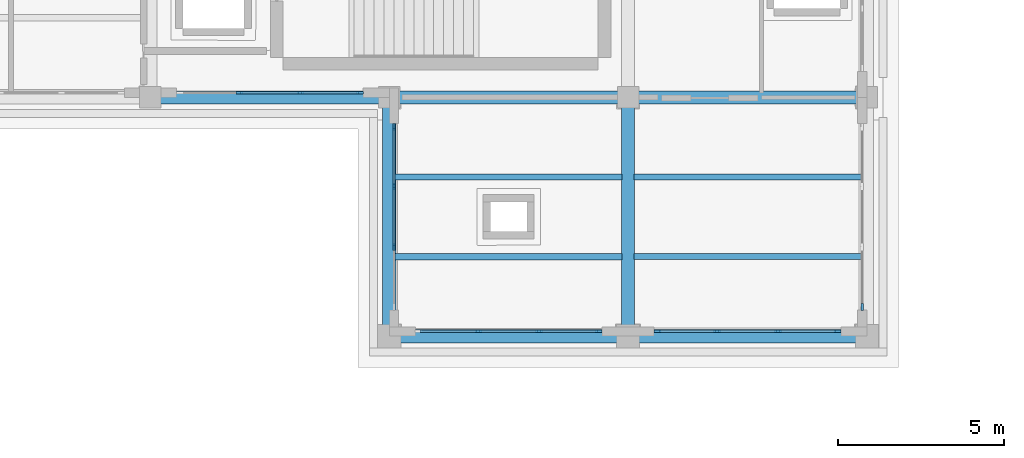
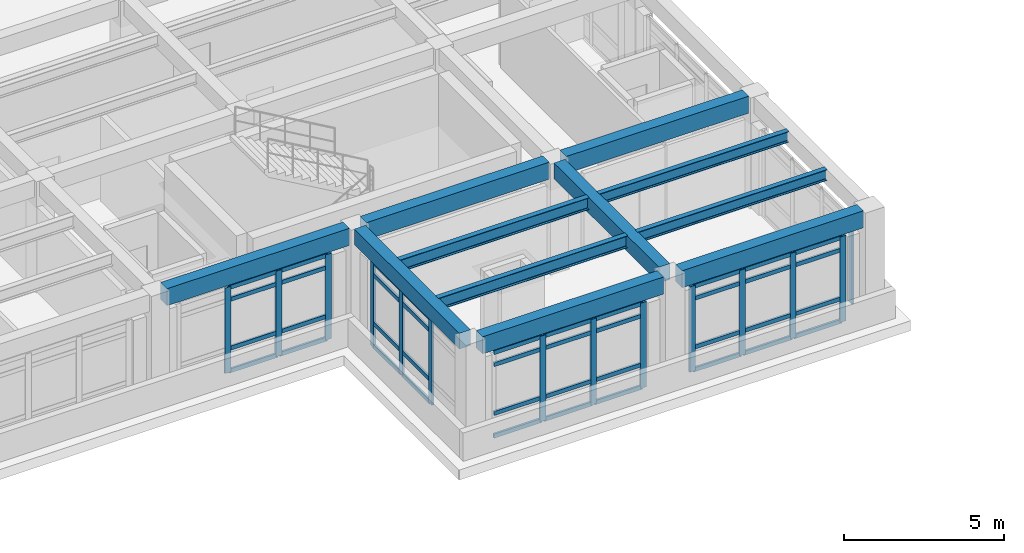
# One storey, part 27 of 55: 54 members, 11 beams, 5 elements without a shape of their own.
"""IFC4 building model written with IfcOpenShell, lengths in metres."""

from ifc_helpers import new_model, si_unit, direction, frame, origin, origin_2d, place, context, subcontext, project, spatial, rectangle, i_section, extrude, material, layer, layer_set, material_profile, profile_set, type_object, element, aggregate, save


model = new_model("IFC4")

# Units and contexts
model_context = context("Model", 3, precision=1e-05, world=origin(), true_north=direction((0.0, 1.0)))
body_context = subcontext(model_context, "Body", "Model", "MODEL_VIEW")
ifc_project = project(units=[si_unit("LENGTHUNIT", "METRE"), si_unit("AREAUNIT", "SQUARE_METRE"), si_unit("VOLUMEUNIT", "CUBIC_METRE"), si_unit("PLANEANGLEUNIT", "RADIAN"), si_unit("MASSUNIT", "GRAM", prefix="KILO")], contexts=[model_context])

# Site, building, storey
site_placement = place(None, origin())
site = spatial("IfcSite", under=ifc_project, at=site_placement, CompositionType="ELEMENT")
building_placement = place(site_placement, origin())
building = spatial("IfcBuilding", under=site, at=building_placement, Name="Solenvale Faculty of Natural Sciences", CompositionType="ELEMENT")
storey_placement = place(building_placement, frame((0.0, 0.0, 22.5)))
storey = spatial("IfcBuildingStorey", under=building, at=storey_placement, Name="L05", CompositionType="ELEMENT", Elevation=22.5)

# Beams
ifc_material_1 = material(Name="Concrete 40 MPa", Category="concrete")
ifc_material_profile_1 = material_profile(ifc_material_1, rectangle(XDim=0.39990234375, YDim=0.60009765625, at=origin_2d()), Name="RC-BM-400x600")
ifc_profile_set_1 = profile_set([ifc_material_profile_1], Name="Concrete 40 MPa")
beam_type_1 = type_object("IfcBeamType", Name="BM-RC-400x600", PredefinedType="BEAM", material=ifc_profile_set_1)
for number, where, z_axis, x_axis, name in (
    (1, (136.800048828125, 86.72998046875, 3.919921875), (0.0, 1.0, 0.0), (-1.0, 0.0, 0.0), "L05 Y-Girder X136.8 (86.4..93.6)"),
    (2, (144.0, 86.72998046875, 3.919921875), (0.0, 1.0, 0.0), (-1.0, 0.0, 0.0), "L05 Y-Girder X144.0 (86.4..93.6)"),
):
    element("IfcBeam", number, at=place(storey_placement, frame(where, z_axis=z_axis, x_axis=x_axis)), inside=storey, type_object=beam_type_1, Name=name, PredefinedType="BEAM", context=body_context, shape_type="SweptSolid", body=[
        extrude(rectangle(XDim=0.39990234375, YDim=0.60009765625, at=origin_2d()), origin(), (0.0, 0.0, 1.0), 6.56494140625),
    ])
ifc_material_profile_2 = material_profile(ifc_material_1, rectangle(XDim=0.39990234375, YDim=0.64990234375, at=origin_2d()), Name="RC-BM-400x650")
ifc_profile_set_2 = profile_set([ifc_material_profile_2], Name="Concrete 40 MPa")
beam_type_2 = type_object("IfcBeamType", Name="BM-RC-400x650", PredefinedType="BEAM", material=ifc_profile_set_2)
for number, where, z_axis, x_axis, name in (
    (3, (137.1298828125, 86.39990234375, 3.89501953125), (1.0, 0.0, 0.0), (0.0, 1.0, 0.0), "L05 X-Girder Y86.4 (136.8..144.0)"),
    (4, (144.330078125, 86.39990234375, 3.89501953125), (1.0, 0.0, 0.0), (0.0, 1.0, 0.0), "L05 X-Girder Y86.4 (144.0..151.2)"),
):
    element("IfcBeam", number, at=place(storey_placement, frame(where, z_axis=z_axis, x_axis=x_axis)), inside=storey, type_object=beam_type_2, Name=name, PredefinedType="BEAM", context=body_context, shape_type="SweptSolid", body=[
        extrude(rectangle(XDim=0.39990234375, YDim=0.64990234375, at=origin_2d()), origin(), (0.0, 0.0, 1.0), 6.5400390625),
    ])
for number, where, z_axis, x_axis, name in (
    (5, (129.905029296875, 93.60009765625, 3.89501953125), (1.0, 0.0, 0.0), (0.0, 1.0, 0.0), "L05 X-Girder Y93.6 (129.6..136.8)"),
    (6, (137.10498046875, 93.60009765625, 3.89501953125), (1.0, 0.0, 0.0), (0.0, 1.0, 0.0), "L05 X-Girder Y93.6 (136.8..144.0)"),
    (7, (144.304931640625, 93.60009765625, 3.89501953125), (1.0, 0.0, 0.0), (0.0, 1.0, 0.0), "L05 X-Girder Y93.6 (144.0..151.2)"),
):
    element("IfcBeam", number, at=place(storey_placement, frame(where, z_axis=z_axis, x_axis=x_axis)), inside=storey, type_object=beam_type_2, Name=name, PredefinedType="BEAM", context=body_context, shape_type="SweptSolid", body=[
        extrude(rectangle(XDim=0.39990234375, YDim=0.64990234375, at=origin_2d()), origin(), (0.0, 0.0, 1.0), 6.590087890625),
    ])
ifc_material_2 = material(Name="Steel S355", Category="steel")
ifc_material_profile_3 = material_profile(ifc_material_2, i_section(OverallWidth=0.180908203125, OverallDepth=0.4169921875, WebThickness=0.010986328125, FlangeThickness=0.018310546875, FilletRadius=0.01611328125, at=origin_2d()), Name="W410x85")
ifc_profile_set_3 = profile_set([ifc_material_profile_3], Name="Steel S355")
beam_type_3 = type_object("IfcBeamType", Name="BM-STL-W410x85", PredefinedType="JOIST", material=ifc_profile_set_3)
for number, where, z_axis, x_axis, name in (
    (8, (144.179931640625, 88.800048828125, 4.011474609375), (1.0, 0.0, 0.0), (0.0, 1.0, 0.0), "L05 Composite Floor Joist (21,13).1"),
    (9, (144.179931640625, 91.199951171875, 4.011474609375), (1.0, 0.0, 0.0), (0.0, 1.0, 0.0), "L05 Composite Floor Joist (21,13).2"),
):
    element("IfcBeam", number, at=place(storey_placement, frame(where, z_axis=z_axis, x_axis=x_axis)), inside=storey, type_object=beam_type_3, Name=name, PredefinedType="JOIST", context=body_context, shape_type="SweptSolid", body=[
        extrude(i_section(OverallWidth=0.180908203125, OverallDepth=0.4169921875, WebThickness=0.010986328125, FlangeThickness=0.018310546875, FilletRadius=0.01611328125, at=origin_2d()), origin(), (0.0, 0.0, 1.0), 6.840087890625),
    ])
ifc_material_profile_4 = material_profile(ifc_material_2, i_section(OverallWidth=0.19091796875, OverallDepth=0.4599609375, WebThickness=0.010009765625, FlangeThickness=0.01611328125, FilletRadius=0.01806640625, at=origin_2d()), Name="W460x82")
ifc_profile_set_4 = profile_set([ifc_material_profile_4], Name="Steel S355")
beam_type_4 = type_object("IfcBeamType", Name="BM-STL-W460x82", PredefinedType="JOIST", material=ifc_profile_set_4)
for number, where, z_axis, x_axis, name in (
    (10, (136.97998046875, 88.800048828125, 3.989990234375), (1.0, 0.0, 0.0), (0.0, 1.0, 0.0), "L05 Composite Floor Joist (20,13).1"),
    (11, (136.97998046875, 91.199951171875, 3.989990234375), (1.0, 0.0, 0.0), (0.0, 1.0, 0.0), "L05 Composite Floor Joist (20,13).2"),
):
    element("IfcBeam", number, at=place(storey_placement, frame(where, z_axis=z_axis, x_axis=x_axis)), inside=storey, type_object=beam_type_4, Name=name, PredefinedType="JOIST", context=body_context, shape_type="SweptSolid", body=[
        extrude(i_section(OverallWidth=0.19091796875, OverallDepth=0.4599609375, WebThickness=0.010009765625, FlangeThickness=0.01611328125, FilletRadius=0.01806640625, at=origin_2d()), origin(), (0.0, 0.0, 1.0), 6.840087890625),
    ])

# Curtain wall, member
ifc_material_3 = material(Name="Anodised bronze aluminium", Category="aluminium")
ifc_layer = layer(ifc_material_3, 0.179931640625)
ifc_layer_set = layer_set([ifc_layer], Name="Anodised bronze aluminium")
curtain_wall_type = type_object("IfcCurtainWallType", Name="CW-TWR-MOD", PredefinedType="USERDEFINED", material=ifc_layer_set)
curtain_wall_1_placement = place(storey_placement, origin())
curtain_wall_1 = element("IfcCurtainWall", 12, at=curtain_wall_1_placement, inside=storey, type_object=curtain_wall_type, Name="L05 Curtain Wall CW-L05-P2-E1-B1", ObjectType="UNITISED CURTAIN WALL", PredefinedType="USERDEFINED")
ifc_material_profile_5 = material_profile(ifc_material_3, rectangle(XDim=0.074951171875, YDim=0.2099609375, at=origin_2d()), Name="ALU-MUL-75x210")
ifc_profile_set_5 = profile_set([ifc_material_profile_5], Name="Anodised bronze aluminium")
member_type_1 = type_object("IfcMemberType", Name="CWM-ALU-75x210", PredefinedType="MULLION", material=ifc_profile_set_5)
member_1_placement = place(storey_placement, frame((151.0576171875, 87.28759765625, 0.0), z_axis=(0.0, 0.0, 1.0), x_axis=(-1.0, 0.0, 0.0)))
member_1 = element("IfcMember", 13, at=member_1_placement, type_object=member_type_1, Name="CW-04 mullion 1", PredefinedType="MULLION", context=body_context, shape_type="SweptSolid", body=[
    extrude(rectangle(XDim=0.074951171875, YDim=0.2099609375, at=origin_2d()), origin(), (0.0, 0.0, 1.0), 3.260009765625),
])
aggregate(curtain_wall_1, [member_1])

# Curtain wall, members
curtain_wall_2_placement = place(storey_placement, origin())
curtain_wall_2 = element("IfcCurtainWall", 14, at=curtain_wall_2_placement, inside=storey, type_object=curtain_wall_type, Name="L05 Curtain Wall CW-L05-P2-E5-B8", ObjectType="UNITISED CURTAIN WALL", PredefinedType="USERDEFINED")
member_2_placement = place(storey_placement, frame((132.283447265625, 93.742431640625, 0.0), z_axis=(0.0, 0.0, 1.0), x_axis=(0.0, 1.0, 0.0)))
member_2 = element("IfcMember", 15, at=member_2_placement, type_object=member_type_1, Name="CW-04 mullion 2", PredefinedType="MULLION", context=body_context, shape_type="SweptSolid", body=[
    extrude(rectangle(XDim=0.074951171875, YDim=0.2099609375, at=origin_2d()), origin(), (0.0, 0.0, 1.0), 3.260009765625),
])
member_3_placement = place(storey_placement, frame((134.11669921875, 93.742431640625, 0.0), z_axis=(0.0, 0.0, 1.0), x_axis=(0.0, 1.0, 0.0)))
member_3 = element("IfcMember", 16, at=member_3_placement, type_object=member_type_1, Name="CW-04 mullion 3", PredefinedType="MULLION", context=body_context, shape_type="SweptSolid", body=[
    extrude(rectangle(XDim=0.074951171875, YDim=0.2099609375, at=origin_2d()), origin(), (0.0, 0.0, 1.0), 3.260009765625),
])
member_4_placement = place(storey_placement, frame((135.91259765625, 93.742431640625, 0.0), z_axis=(0.0, 0.0, 1.0), x_axis=(0.0, 1.0, 0.0)))
member_4 = element("IfcMember", 17, at=member_4_placement, type_object=member_type_1, Name="CW-04 mullion 4", PredefinedType="MULLION", context=body_context, shape_type="SweptSolid", body=[
    extrude(rectangle(XDim=0.074951171875, YDim=0.2099609375, at=origin_2d()), origin(), (0.0, 0.0, 1.0), 3.260009765625),
])

curtain_wall_3_placement = place(storey_placement, origin())
curtain_wall_3 = element("IfcCurtainWall", 18, at=curtain_wall_3_placement, inside=storey, type_object=curtain_wall_type, Name="L05 Curtain Wall CW-L05-P2-E6-B1", ObjectType="UNITISED CURTAIN WALL", PredefinedType="USERDEFINED")
member_5_placement = place(storey_placement, frame((136.9423828125, 92.71240234375, 0.0), z_axis=(0.0, 0.0, 1.0), x_axis=(1.0, 0.0, 0.0)))
member_5 = element("IfcMember", 19, at=member_5_placement, type_object=member_type_1, Name="CW-04 mullion 1", PredefinedType="MULLION", context=body_context, shape_type="SweptSolid", body=[
    extrude(rectangle(XDim=0.074951171875, YDim=0.2099609375, at=origin_2d()), origin(), (0.0, 0.0, 1.0), 3.260009765625),
])
member_6_placement = place(storey_placement, frame((136.9423828125, 90.916748046875, 0.0), z_axis=(0.0, 0.0, 1.0), x_axis=(1.0, 0.0, 0.0)))
member_6 = element("IfcMember", 20, at=member_6_placement, type_object=member_type_1, Name="CW-04 mullion 2", PredefinedType="MULLION", context=body_context, shape_type="SweptSolid", body=[
    extrude(rectangle(XDim=0.074951171875, YDim=0.2099609375, at=origin_2d()), origin(), (0.0, 0.0, 1.0), 3.260009765625),
])
member_7_placement = place(storey_placement, frame((136.9423828125, 89.083251953125, 0.0), z_axis=(0.0, 0.0, 1.0), x_axis=(1.0, 0.0, 0.0)))
member_7 = element("IfcMember", 21, at=member_7_placement, type_object=member_type_1, Name="CW-04 mullion 3", PredefinedType="MULLION", context=body_context, shape_type="SweptSolid", body=[
    extrude(rectangle(XDim=0.074951171875, YDim=0.2099609375, at=origin_2d()), origin(), (0.0, 0.0, 1.0), 3.260009765625),
])

curtain_wall_4_placement = place(storey_placement, origin())
curtain_wall_4 = element("IfcCurtainWall", 22, at=curtain_wall_4_placement, inside=storey, type_object=curtain_wall_type, Name="L05 Curtain Wall CW-L05-P2-E7-B1", ObjectType="UNITISED CURTAIN WALL", PredefinedType="USERDEFINED")
member_8_placement = place(storey_placement, frame((139.4833984375, 86.54248046875, 0.0), z_axis=(0.0, 0.0, 1.0), x_axis=(0.0, 1.0, 0.0)))
member_8 = element("IfcMember", 23, at=member_8_placement, type_object=member_type_1, Name="CW-04 mullion 2", PredefinedType="MULLION", context=body_context, shape_type="SweptSolid", body=[
    extrude(rectangle(XDim=0.074951171875, YDim=0.2099609375, at=origin_2d()), origin(), (0.0, 0.0, 1.0), 3.260009765625),
])
member_9_placement = place(storey_placement, frame((141.316650390625, 86.54248046875, 0.0), z_axis=(0.0, 0.0, 1.0), x_axis=(0.0, 1.0, 0.0)))
member_9 = element("IfcMember", 24, at=member_9_placement, type_object=member_type_1, Name="CW-04 mullion 3", PredefinedType="MULLION", context=body_context, shape_type="SweptSolid", body=[
    extrude(rectangle(XDim=0.074951171875, YDim=0.2099609375, at=origin_2d()), origin(), (0.0, 0.0, 1.0), 3.260009765625),
])
member_10_placement = place(storey_placement, frame((143.112548828125, 86.54248046875, 0.0), z_axis=(0.0, 0.0, 1.0), x_axis=(0.0, 1.0, 0.0)))
member_10 = element("IfcMember", 25, at=member_10_placement, type_object=member_type_1, Name="CW-04 mullion 4", PredefinedType="MULLION", context=body_context, shape_type="SweptSolid", body=[
    extrude(rectangle(XDim=0.074951171875, YDim=0.2099609375, at=origin_2d()), origin(), (0.0, 0.0, 1.0), 3.260009765625),
])

curtain_wall_5_placement = place(storey_placement, origin())
curtain_wall_5 = element("IfcCurtainWall", 26, at=curtain_wall_5_placement, inside=storey, type_object=curtain_wall_type, Name="L05 Curtain Wall CW-L05-P2-E7-B2", ObjectType="UNITISED CURTAIN WALL", PredefinedType="USERDEFINED")
member_11_placement = place(storey_placement, frame((144.887451171875, 86.54248046875, 0.0), z_axis=(0.0, 0.0, 1.0), x_axis=(0.0, 1.0, 0.0)))
member_11 = element("IfcMember", 27, at=member_11_placement, type_object=member_type_1, Name="CW-04 mullion 1", PredefinedType="MULLION", context=body_context, shape_type="SweptSolid", body=[
    extrude(rectangle(XDim=0.074951171875, YDim=0.2099609375, at=origin_2d()), origin(), (0.0, 0.0, 1.0), 3.260009765625),
])
member_12_placement = place(storey_placement, frame((146.683349609375, 86.54248046875, 0.0), z_axis=(0.0, 0.0, 1.0), x_axis=(0.0, 1.0, 0.0)))
member_12 = element("IfcMember", 28, at=member_12_placement, type_object=member_type_1, Name="CW-04 mullion 2", PredefinedType="MULLION", context=body_context, shape_type="SweptSolid", body=[
    extrude(rectangle(XDim=0.074951171875, YDim=0.2099609375, at=origin_2d()), origin(), (0.0, 0.0, 1.0), 3.260009765625),
])
member_13_placement = place(storey_placement, frame((148.5166015625, 86.54248046875, 0.0), z_axis=(0.0, 0.0, 1.0), x_axis=(0.0, 1.0, 0.0)))
member_13 = element("IfcMember", 29, at=member_13_placement, type_object=member_type_1, Name="CW-04 mullion 3", PredefinedType="MULLION", context=body_context, shape_type="SweptSolid", body=[
    extrude(rectangle(XDim=0.074951171875, YDim=0.2099609375, at=origin_2d()), origin(), (0.0, 0.0, 1.0), 3.260009765625),
])
member_14_placement = place(storey_placement, frame((150.3125, 86.54248046875, 0.0), z_axis=(0.0, 0.0, 1.0), x_axis=(0.0, 1.0, 0.0)))
member_14 = element("IfcMember", 30, at=member_14_placement, type_object=member_type_1, Name="CW-04 mullion 4", PredefinedType="MULLION", context=body_context, shape_type="SweptSolid", body=[
    extrude(rectangle(XDim=0.074951171875, YDim=0.2099609375, at=origin_2d()), origin(), (0.0, 0.0, 1.0), 3.260009765625),
])

# Member
ifc_material_profile_6 = material_profile(ifc_material_3, rectangle(XDim=0.074951171875, YDim=0.155029296875, at=origin_2d()), Name="ALU-TRN-75x155")
ifc_profile_set_6 = profile_set([ifc_material_profile_6], Name="Anodised bronze aluminium")
member_type_2 = type_object("IfcMemberType", Name="CWT-ALU-75x155", PredefinedType="USERDEFINED", material=ifc_profile_set_6)
member_15_placement = place(storey_placement, frame((132.32080078125, 93.742431640625, 0.03759765625), z_axis=(1.0, 0.0, 0.0), x_axis=(0.0, 1.0, 0.0)))
member_15 = element("IfcMember", 31, at=member_15_placement, type_object=member_type_2, Name="CW-04 transom 2.1", ObjectType="TRANSOM", PredefinedType="USERDEFINED", context=body_context, shape_type="SweptSolid", body=[
    extrude(rectangle(XDim=0.074951171875, YDim=0.155029296875, at=origin_2d()), origin(), (0.0, 0.0, 1.0), 1.75830078125),
])

member_16_placement = place(storey_placement, frame((132.32080078125, 93.742431640625, 0.89990234375), z_axis=(1.0, 0.0, 0.0), x_axis=(0.0, 1.0, 0.0)))
member_16 = element("IfcMember", 32, at=member_16_placement, type_object=member_type_2, Name="CW-04 transom 2.2", ObjectType="TRANSOM", PredefinedType="USERDEFINED", context=body_context, shape_type="SweptSolid", body=[
    extrude(rectangle(XDim=0.074951171875, YDim=0.155029296875, at=origin_2d()), origin(), (0.0, 0.0, 1.0), 1.75830078125),
])

member_17_placement = place(storey_placement, frame((132.32080078125, 93.742431640625, 2.760009765625), z_axis=(1.0, 0.0, 0.0), x_axis=(0.0, 1.0, 0.0)))
member_17 = element("IfcMember", 33, at=member_17_placement, type_object=member_type_2, Name="CW-04 transom 2.3", ObjectType="TRANSOM", PredefinedType="USERDEFINED", context=body_context, shape_type="SweptSolid", body=[
    extrude(rectangle(XDim=0.074951171875, YDim=0.155029296875, at=origin_2d()), origin(), (0.0, 0.0, 1.0), 1.75830078125),
])

member_18_placement = place(storey_placement, frame((132.32080078125, 93.742431640625, 3.222412109375), z_axis=(1.0, 0.0, 0.0), x_axis=(0.0, 1.0, 0.0)))
member_18 = element("IfcMember", 34, at=member_18_placement, type_object=member_type_2, Name="CW-04 transom 2.4", ObjectType="TRANSOM", PredefinedType="USERDEFINED", context=body_context, shape_type="SweptSolid", body=[
    extrude(rectangle(XDim=0.074951171875, YDim=0.155029296875, at=origin_2d()), origin(), (0.0, 0.0, 1.0), 1.75830078125),
])

member_19_placement = place(storey_placement, frame((134.154052734375, 93.742431640625, 0.03759765625), z_axis=(1.0, 0.0, 0.0), x_axis=(0.0, 1.0, 0.0)))
member_19 = element("IfcMember", 35, at=member_19_placement, type_object=member_type_2, Name="CW-04 transom 3.1", ObjectType="TRANSOM", PredefinedType="USERDEFINED", context=body_context, shape_type="SweptSolid", body=[
    extrude(rectangle(XDim=0.074951171875, YDim=0.155029296875, at=origin_2d()), origin(), (0.0, 0.0, 1.0), 1.720947265625),
])

member_20_placement = place(storey_placement, frame((134.154052734375, 93.742431640625, 0.89990234375), z_axis=(1.0, 0.0, 0.0), x_axis=(0.0, 1.0, 0.0)))
member_20 = element("IfcMember", 36, at=member_20_placement, type_object=member_type_2, Name="CW-04 transom 3.2", ObjectType="TRANSOM", PredefinedType="USERDEFINED", context=body_context, shape_type="SweptSolid", body=[
    extrude(rectangle(XDim=0.074951171875, YDim=0.155029296875, at=origin_2d()), origin(), (0.0, 0.0, 1.0), 1.720947265625),
])

member_21_placement = place(storey_placement, frame((134.154052734375, 93.742431640625, 2.760009765625), z_axis=(1.0, 0.0, 0.0), x_axis=(0.0, 1.0, 0.0)))
member_21 = element("IfcMember", 37, at=member_21_placement, type_object=member_type_2, Name="CW-04 transom 3.3", ObjectType="TRANSOM", PredefinedType="USERDEFINED", context=body_context, shape_type="SweptSolid", body=[
    extrude(rectangle(XDim=0.074951171875, YDim=0.155029296875, at=origin_2d()), origin(), (0.0, 0.0, 1.0), 1.720947265625),
])

member_22_placement = place(storey_placement, frame((134.154052734375, 93.742431640625, 3.222412109375), z_axis=(1.0, 0.0, 0.0), x_axis=(0.0, 1.0, 0.0)))
member_22 = element("IfcMember", 38, at=member_22_placement, type_object=member_type_2, Name="CW-04 transom 3.4", ObjectType="TRANSOM", PredefinedType="USERDEFINED", context=body_context, shape_type="SweptSolid", body=[
    extrude(rectangle(XDim=0.074951171875, YDim=0.155029296875, at=origin_2d()), origin(), (0.0, 0.0, 1.0), 1.720947265625),
])

aggregate(curtain_wall_2, [member_2, member_3, member_4, member_15, member_16, member_17, member_18, member_19, member_20, member_21, member_22])

member_23_placement = place(storey_placement, frame((136.9423828125, 92.675048828125, 0.03759765625), z_axis=(0.0, -1.0, 0.0), x_axis=(1.0, 0.0, 0.0)))
member_23 = element("IfcMember", 39, at=member_23_placement, type_object=member_type_2, Name="CW-04 transom 1.1", ObjectType="TRANSOM", PredefinedType="USERDEFINED", context=body_context, shape_type="SweptSolid", body=[
    extrude(rectangle(XDim=0.074951171875, YDim=0.155029296875, at=origin_2d()), origin(), (0.0, 0.0, 1.0), 1.720947265625),
])

member_24_placement = place(storey_placement, frame((136.9423828125, 92.675048828125, 0.89990234375), z_axis=(0.0, -1.0, 0.0), x_axis=(1.0, 0.0, 0.0)))
member_24 = element("IfcMember", 40, at=member_24_placement, type_object=member_type_2, Name="CW-04 transom 1.2", ObjectType="TRANSOM", PredefinedType="USERDEFINED", context=body_context, shape_type="SweptSolid", body=[
    extrude(rectangle(XDim=0.074951171875, YDim=0.155029296875, at=origin_2d()), origin(), (0.0, 0.0, 1.0), 1.720947265625),
])

member_25_placement = place(storey_placement, frame((136.9423828125, 92.675048828125, 2.760009765625), z_axis=(0.0, -1.0, 0.0), x_axis=(1.0, 0.0, 0.0)))
member_25 = element("IfcMember", 41, at=member_25_placement, type_object=member_type_2, Name="CW-04 transom 1.3", ObjectType="TRANSOM", PredefinedType="USERDEFINED", context=body_context, shape_type="SweptSolid", body=[
    extrude(rectangle(XDim=0.074951171875, YDim=0.155029296875, at=origin_2d()), origin(), (0.0, 0.0, 1.0), 1.720947265625),
])

member_26_placement = place(storey_placement, frame((136.9423828125, 92.675048828125, 3.222412109375), z_axis=(0.0, -1.0, 0.0), x_axis=(1.0, 0.0, 0.0)))
member_26 = element("IfcMember", 42, at=member_26_placement, type_object=member_type_2, Name="CW-04 transom 1.4", ObjectType="TRANSOM", PredefinedType="USERDEFINED", context=body_context, shape_type="SweptSolid", body=[
    extrude(rectangle(XDim=0.074951171875, YDim=0.155029296875, at=origin_2d()), origin(), (0.0, 0.0, 1.0), 1.720947265625),
])

member_27_placement = place(storey_placement, frame((136.9423828125, 90.879150390625, 0.03759765625), z_axis=(0.0, -1.0, 0.0), x_axis=(1.0, 0.0, 0.0)))
member_27 = element("IfcMember", 43, at=member_27_placement, type_object=member_type_2, Name="CW-04 transom 2.1", ObjectType="TRANSOM", PredefinedType="USERDEFINED", context=body_context, shape_type="SweptSolid", body=[
    extrude(rectangle(XDim=0.074951171875, YDim=0.155029296875, at=origin_2d()), origin(), (0.0, 0.0, 1.0), 1.75830078125),
])

member_28_placement = place(storey_placement, frame((136.9423828125, 90.879150390625, 0.89990234375), z_axis=(0.0, -1.0, 0.0), x_axis=(1.0, 0.0, 0.0)))
member_28 = element("IfcMember", 44, at=member_28_placement, type_object=member_type_2, Name="CW-04 transom 2.2", ObjectType="TRANSOM", PredefinedType="USERDEFINED", context=body_context, shape_type="SweptSolid", body=[
    extrude(rectangle(XDim=0.074951171875, YDim=0.155029296875, at=origin_2d()), origin(), (0.0, 0.0, 1.0), 1.75830078125),
])

member_29_placement = place(storey_placement, frame((136.9423828125, 90.879150390625, 2.760009765625), z_axis=(0.0, -1.0, 0.0), x_axis=(1.0, 0.0, 0.0)))
member_29 = element("IfcMember", 45, at=member_29_placement, type_object=member_type_2, Name="CW-04 transom 2.3", ObjectType="TRANSOM", PredefinedType="USERDEFINED", context=body_context, shape_type="SweptSolid", body=[
    extrude(rectangle(XDim=0.074951171875, YDim=0.155029296875, at=origin_2d()), origin(), (0.0, 0.0, 1.0), 1.75830078125),
])

member_30_placement = place(storey_placement, frame((136.9423828125, 90.879150390625, 3.222412109375), z_axis=(0.0, -1.0, 0.0), x_axis=(1.0, 0.0, 0.0)))
member_30 = element("IfcMember", 46, at=member_30_placement, type_object=member_type_2, Name="CW-04 transom 2.4", ObjectType="TRANSOM", PredefinedType="USERDEFINED", context=body_context, shape_type="SweptSolid", body=[
    extrude(rectangle(XDim=0.074951171875, YDim=0.155029296875, at=origin_2d()), origin(), (0.0, 0.0, 1.0), 1.75830078125),
])

aggregate(curtain_wall_3, [member_5, member_6, member_7, member_23, member_24, member_25, member_26, member_27, member_28, member_29, member_30])

member_31_placement = place(storey_placement, frame((137.72509765625, 86.54248046875, 0.03759765625), z_axis=(1.0, 0.0, 0.0), x_axis=(0.0, 1.0, 0.0)))
member_31 = element("IfcMember", 47, at=member_31_placement, type_object=member_type_2, Name="CW-04 transom 1.1", ObjectType="TRANSOM", PredefinedType="USERDEFINED", context=body_context, shape_type="SweptSolid", body=[
    extrude(rectangle(XDim=0.074951171875, YDim=0.155029296875, at=origin_2d()), origin(), (0.0, 0.0, 1.0), 1.720703125),
])

member_32_placement = place(storey_placement, frame((137.72509765625, 86.54248046875, 0.89990234375), z_axis=(1.0, 0.0, 0.0), x_axis=(0.0, 1.0, 0.0)))
member_32 = element("IfcMember", 48, at=member_32_placement, type_object=member_type_2, Name="CW-04 transom 1.2", ObjectType="TRANSOM", PredefinedType="USERDEFINED", context=body_context, shape_type="SweptSolid", body=[
    extrude(rectangle(XDim=0.074951171875, YDim=0.155029296875, at=origin_2d()), origin(), (0.0, 0.0, 1.0), 1.720703125),
])

member_33_placement = place(storey_placement, frame((137.72509765625, 86.54248046875, 2.760009765625), z_axis=(1.0, 0.0, 0.0), x_axis=(0.0, 1.0, 0.0)))
member_33 = element("IfcMember", 49, at=member_33_placement, type_object=member_type_2, Name="CW-04 transom 1.3", ObjectType="TRANSOM", PredefinedType="USERDEFINED", context=body_context, shape_type="SweptSolid", body=[
    extrude(rectangle(XDim=0.074951171875, YDim=0.155029296875, at=origin_2d()), origin(), (0.0, 0.0, 1.0), 1.720703125),
])

member_34_placement = place(storey_placement, frame((137.72509765625, 86.54248046875, 3.222412109375), z_axis=(1.0, 0.0, 0.0), x_axis=(0.0, 1.0, 0.0)))
member_34 = element("IfcMember", 50, at=member_34_placement, type_object=member_type_2, Name="CW-04 transom 1.4", ObjectType="TRANSOM", PredefinedType="USERDEFINED", context=body_context, shape_type="SweptSolid", body=[
    extrude(rectangle(XDim=0.074951171875, YDim=0.155029296875, at=origin_2d()), origin(), (0.0, 0.0, 1.0), 1.720703125),
])

member_35_placement = place(storey_placement, frame((139.520751953125, 86.54248046875, 0.03759765625), z_axis=(1.0, 0.0, 0.0), x_axis=(0.0, 1.0, 0.0)))
member_35 = element("IfcMember", 51, at=member_35_placement, type_object=member_type_2, Name="CW-04 transom 2.1", ObjectType="TRANSOM", PredefinedType="USERDEFINED", context=body_context, shape_type="SweptSolid", body=[
    extrude(rectangle(XDim=0.074951171875, YDim=0.155029296875, at=origin_2d()), origin(), (0.0, 0.0, 1.0), 1.75830078125),
])

member_36_placement = place(storey_placement, frame((139.520751953125, 86.54248046875, 0.89990234375), z_axis=(1.0, 0.0, 0.0), x_axis=(0.0, 1.0, 0.0)))
member_36 = element("IfcMember", 52, at=member_36_placement, type_object=member_type_2, Name="CW-04 transom 2.2", ObjectType="TRANSOM", PredefinedType="USERDEFINED", context=body_context, shape_type="SweptSolid", body=[
    extrude(rectangle(XDim=0.074951171875, YDim=0.155029296875, at=origin_2d()), origin(), (0.0, 0.0, 1.0), 1.75830078125),
])

member_37_placement = place(storey_placement, frame((139.520751953125, 86.54248046875, 2.760009765625), z_axis=(1.0, 0.0, 0.0), x_axis=(0.0, 1.0, 0.0)))
member_37 = element("IfcMember", 53, at=member_37_placement, type_object=member_type_2, Name="CW-04 transom 2.3", ObjectType="TRANSOM", PredefinedType="USERDEFINED", context=body_context, shape_type="SweptSolid", body=[
    extrude(rectangle(XDim=0.074951171875, YDim=0.155029296875, at=origin_2d()), origin(), (0.0, 0.0, 1.0), 1.75830078125),
])

member_38_placement = place(storey_placement, frame((139.520751953125, 86.54248046875, 3.222412109375), z_axis=(1.0, 0.0, 0.0), x_axis=(0.0, 1.0, 0.0)))
member_38 = element("IfcMember", 54, at=member_38_placement, type_object=member_type_2, Name="CW-04 transom 2.4", ObjectType="TRANSOM", PredefinedType="USERDEFINED", context=body_context, shape_type="SweptSolid", body=[
    extrude(rectangle(XDim=0.074951171875, YDim=0.155029296875, at=origin_2d()), origin(), (0.0, 0.0, 1.0), 1.75830078125),
])

member_39_placement = place(storey_placement, frame((141.354248046875, 86.54248046875, 0.03759765625), z_axis=(1.0, 0.0, 0.0), x_axis=(0.0, 1.0, 0.0)))
member_39 = element("IfcMember", 55, at=member_39_placement, type_object=member_type_2, Name="CW-04 transom 3.1", ObjectType="TRANSOM", PredefinedType="USERDEFINED", context=body_context, shape_type="SweptSolid", body=[
    extrude(rectangle(XDim=0.074951171875, YDim=0.155029296875, at=origin_2d()), origin(), (0.0, 0.0, 1.0), 1.720703125),
])

member_40_placement = place(storey_placement, frame((141.354248046875, 86.54248046875, 0.89990234375), z_axis=(1.0, 0.0, 0.0), x_axis=(0.0, 1.0, 0.0)))
member_40 = element("IfcMember", 56, at=member_40_placement, type_object=member_type_2, Name="CW-04 transom 3.2", ObjectType="TRANSOM", PredefinedType="USERDEFINED", context=body_context, shape_type="SweptSolid", body=[
    extrude(rectangle(XDim=0.074951171875, YDim=0.155029296875, at=origin_2d()), origin(), (0.0, 0.0, 1.0), 1.720703125),
])

member_41_placement = place(storey_placement, frame((141.354248046875, 86.54248046875, 2.760009765625), z_axis=(1.0, 0.0, 0.0), x_axis=(0.0, 1.0, 0.0)))
member_41 = element("IfcMember", 57, at=member_41_placement, type_object=member_type_2, Name="CW-04 transom 3.3", ObjectType="TRANSOM", PredefinedType="USERDEFINED", context=body_context, shape_type="SweptSolid", body=[
    extrude(rectangle(XDim=0.074951171875, YDim=0.155029296875, at=origin_2d()), origin(), (0.0, 0.0, 1.0), 1.720703125),
])

member_42_placement = place(storey_placement, frame((141.354248046875, 86.54248046875, 3.222412109375), z_axis=(1.0, 0.0, 0.0), x_axis=(0.0, 1.0, 0.0)))
member_42 = element("IfcMember", 58, at=member_42_placement, type_object=member_type_2, Name="CW-04 transom 3.4", ObjectType="TRANSOM", PredefinedType="USERDEFINED", context=body_context, shape_type="SweptSolid", body=[
    extrude(rectangle(XDim=0.074951171875, YDim=0.155029296875, at=origin_2d()), origin(), (0.0, 0.0, 1.0), 1.720703125),
])

aggregate(curtain_wall_4, [member_8, member_9, member_10, member_31, member_32, member_33, member_34, member_35, member_36, member_37, member_38, member_39, member_40, member_41, member_42])

member_43_placement = place(storey_placement, frame((144.925048828125, 86.54248046875, 0.03759765625), z_axis=(1.0, 0.0, 0.0), x_axis=(0.0, 1.0, 0.0)))
member_43 = element("IfcMember", 59, at=member_43_placement, type_object=member_type_2, Name="CW-04 transom 1.1", ObjectType="TRANSOM", PredefinedType="USERDEFINED", context=body_context, shape_type="SweptSolid", body=[
    extrude(rectangle(XDim=0.074951171875, YDim=0.155029296875, at=origin_2d()), origin(), (0.0, 0.0, 1.0), 1.720703125),
])

member_44_placement = place(storey_placement, frame((144.925048828125, 86.54248046875, 0.89990234375), z_axis=(1.0, 0.0, 0.0), x_axis=(0.0, 1.0, 0.0)))
member_44 = element("IfcMember", 60, at=member_44_placement, type_object=member_type_2, Name="CW-04 transom 1.2", ObjectType="TRANSOM", PredefinedType="USERDEFINED", context=body_context, shape_type="SweptSolid", body=[
    extrude(rectangle(XDim=0.074951171875, YDim=0.155029296875, at=origin_2d()), origin(), (0.0, 0.0, 1.0), 1.720703125),
])

member_45_placement = place(storey_placement, frame((144.925048828125, 86.54248046875, 2.760009765625), z_axis=(1.0, 0.0, 0.0), x_axis=(0.0, 1.0, 0.0)))
member_45 = element("IfcMember", 61, at=member_45_placement, type_object=member_type_2, Name="CW-04 transom 1.3", ObjectType="TRANSOM", PredefinedType="USERDEFINED", context=body_context, shape_type="SweptSolid", body=[
    extrude(rectangle(XDim=0.074951171875, YDim=0.155029296875, at=origin_2d()), origin(), (0.0, 0.0, 1.0), 1.720703125),
])

member_46_placement = place(storey_placement, frame((144.925048828125, 86.54248046875, 3.222412109375), z_axis=(1.0, 0.0, 0.0), x_axis=(0.0, 1.0, 0.0)))
member_46 = element("IfcMember", 62, at=member_46_placement, type_object=member_type_2, Name="CW-04 transom 1.4", ObjectType="TRANSOM", PredefinedType="USERDEFINED", context=body_context, shape_type="SweptSolid", body=[
    extrude(rectangle(XDim=0.074951171875, YDim=0.155029296875, at=origin_2d()), origin(), (0.0, 0.0, 1.0), 1.720703125),
])

member_47_placement = place(storey_placement, frame((146.720947265625, 86.54248046875, 0.03759765625), z_axis=(1.0, 0.0, 0.0), x_axis=(0.0, 1.0, 0.0)))
member_47 = element("IfcMember", 63, at=member_47_placement, type_object=member_type_2, Name="CW-04 transom 2.1", ObjectType="TRANSOM", PredefinedType="USERDEFINED", context=body_context, shape_type="SweptSolid", body=[
    extrude(rectangle(XDim=0.074951171875, YDim=0.155029296875, at=origin_2d()), origin(), (0.0, 0.0, 1.0), 1.75830078125),
])

member_48_placement = place(storey_placement, frame((146.720947265625, 86.54248046875, 0.89990234375), z_axis=(1.0, 0.0, 0.0), x_axis=(0.0, 1.0, 0.0)))
member_48 = element("IfcMember", 64, at=member_48_placement, type_object=member_type_2, Name="CW-04 transom 2.2", ObjectType="TRANSOM", PredefinedType="USERDEFINED", context=body_context, shape_type="SweptSolid", body=[
    extrude(rectangle(XDim=0.074951171875, YDim=0.155029296875, at=origin_2d()), origin(), (0.0, 0.0, 1.0), 1.75830078125),
])

member_49_placement = place(storey_placement, frame((146.720947265625, 86.54248046875, 2.760009765625), z_axis=(1.0, 0.0, 0.0), x_axis=(0.0, 1.0, 0.0)))
member_49 = element("IfcMember", 65, at=member_49_placement, type_object=member_type_2, Name="CW-04 transom 2.3", ObjectType="TRANSOM", PredefinedType="USERDEFINED", context=body_context, shape_type="SweptSolid", body=[
    extrude(rectangle(XDim=0.074951171875, YDim=0.155029296875, at=origin_2d()), origin(), (0.0, 0.0, 1.0), 1.75830078125),
])

member_50_placement = place(storey_placement, frame((146.720947265625, 86.54248046875, 3.222412109375), z_axis=(1.0, 0.0, 0.0), x_axis=(0.0, 1.0, 0.0)))
member_50 = element("IfcMember", 66, at=member_50_placement, type_object=member_type_2, Name="CW-04 transom 2.4", ObjectType="TRANSOM", PredefinedType="USERDEFINED", context=body_context, shape_type="SweptSolid", body=[
    extrude(rectangle(XDim=0.074951171875, YDim=0.155029296875, at=origin_2d()), origin(), (0.0, 0.0, 1.0), 1.75830078125),
])

member_51_placement = place(storey_placement, frame((148.55419921875, 86.54248046875, 0.03759765625), z_axis=(1.0, 0.0, 0.0), x_axis=(0.0, 1.0, 0.0)))
member_51 = element("IfcMember", 67, at=member_51_placement, type_object=member_type_2, Name="CW-04 transom 3.1", ObjectType="TRANSOM", PredefinedType="USERDEFINED", context=body_context, shape_type="SweptSolid", body=[
    extrude(rectangle(XDim=0.074951171875, YDim=0.155029296875, at=origin_2d()), origin(), (0.0, 0.0, 1.0), 1.720703125),
])

member_52_placement = place(storey_placement, frame((148.55419921875, 86.54248046875, 0.89990234375), z_axis=(1.0, 0.0, 0.0), x_axis=(0.0, 1.0, 0.0)))
member_52 = element("IfcMember", 68, at=member_52_placement, type_object=member_type_2, Name="CW-04 transom 3.2", ObjectType="TRANSOM", PredefinedType="USERDEFINED", context=body_context, shape_type="SweptSolid", body=[
    extrude(rectangle(XDim=0.074951171875, YDim=0.155029296875, at=origin_2d()), origin(), (0.0, 0.0, 1.0), 1.720703125),
])

member_53_placement = place(storey_placement, frame((148.55419921875, 86.54248046875, 2.760009765625), z_axis=(1.0, 0.0, 0.0), x_axis=(0.0, 1.0, 0.0)))
member_53 = element("IfcMember", 69, at=member_53_placement, type_object=member_type_2, Name="CW-04 transom 3.3", ObjectType="TRANSOM", PredefinedType="USERDEFINED", context=body_context, shape_type="SweptSolid", body=[
    extrude(rectangle(XDim=0.074951171875, YDim=0.155029296875, at=origin_2d()), origin(), (0.0, 0.0, 1.0), 1.720703125),
])

member_54_placement = place(storey_placement, frame((148.55419921875, 86.54248046875, 3.222412109375), z_axis=(1.0, 0.0, 0.0), x_axis=(0.0, 1.0, 0.0)))
member_54 = element("IfcMember", 70, at=member_54_placement, type_object=member_type_2, Name="CW-04 transom 3.4", ObjectType="TRANSOM", PredefinedType="USERDEFINED", context=body_context, shape_type="SweptSolid", body=[
    extrude(rectangle(XDim=0.074951171875, YDim=0.155029296875, at=origin_2d()), origin(), (0.0, 0.0, 1.0), 1.720703125),
])

aggregate(curtain_wall_5, [member_11, member_12, member_13, member_14, member_43, member_44, member_45, member_46, member_47, member_48, member_49, member_50, member_51, member_52, member_53, member_54])

save(model, "model.ifc")
